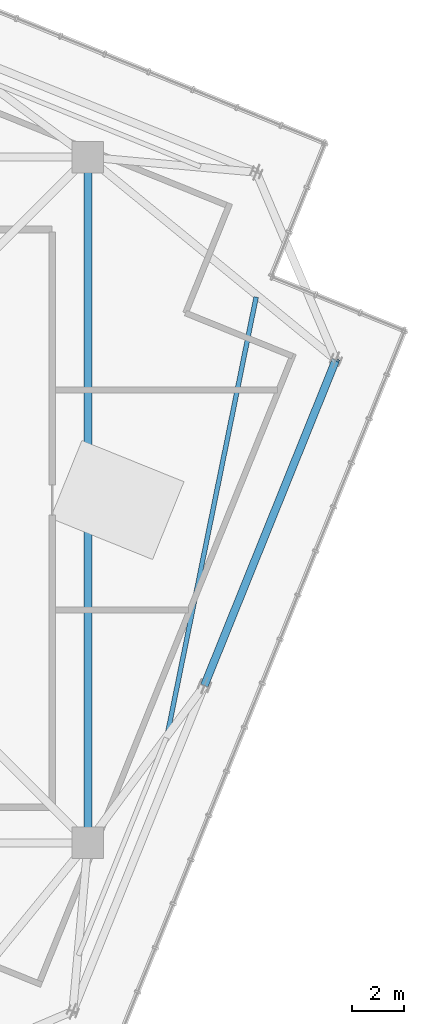
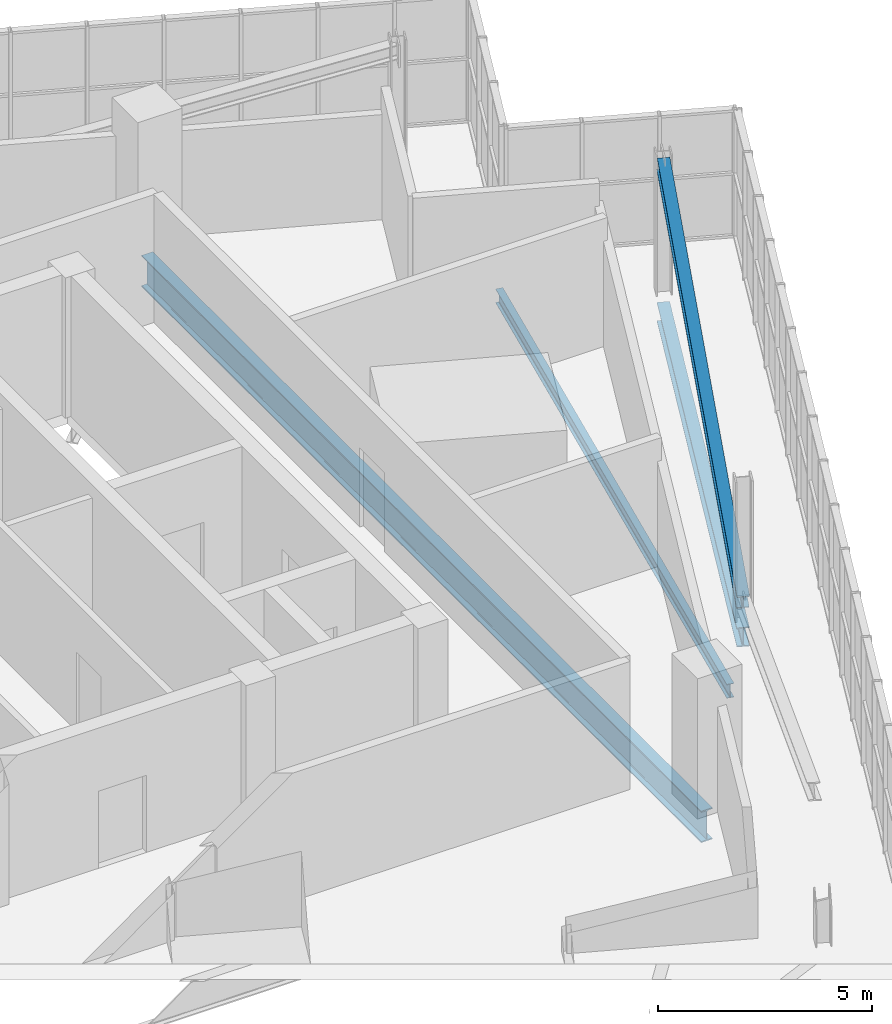
# One storey, part 10 of 26: 3 beams, 1 member.
"""IFC4 building model written with IfcOpenShell, lengths in metres."""

from ifc_helpers import new_model, si_unit, direction, frame, origin, origin_2d, place, context, subcontext, project, spatial, i_section, extrude, source, transform, mapped, material, material_profile, profile_set, type_object, element, save


model = new_model("IFC4")

# Units and contexts
model_context = context("Model", 3, precision=1e-05, world=origin(), true_north=direction((0.0, 1.0)))
body_context = subcontext(model_context, "Body", "Model", "MODEL_VIEW")
ifc_project = project(units=[si_unit("LENGTHUNIT", "METRE"), si_unit("AREAUNIT", "SQUARE_METRE"), si_unit("VOLUMEUNIT", "CUBIC_METRE"), si_unit("PLANEANGLEUNIT", "RADIAN"), si_unit("MASSUNIT", "GRAM", prefix="KILO"), si_unit("THERMODYNAMICTEMPERATUREUNIT", "KELVIN")], contexts=[model_context])

# Site, building, storey
site_placement = place(None, origin())
site = spatial("IfcSite", under=ifc_project, at=site_placement, CompositionType="ELEMENT")
building_placement = place(site_placement, origin())
building = spatial("IfcBuilding", under=site, at=building_placement, Name="Kosmvard Interchange Tower", CompositionType="ELEMENT")
storey_placement = place(building_placement, frame((0.0, 0.0, 341.60009765625)))
storey = spatial("IfcBuildingStorey", under=building, at=storey_placement, Name="L84", CompositionType="ELEMENT", Elevation=341.60009765625)

# Beam
ifc_material = material(Name="Steel S355", Category="steel")
ifc_material_profile_1 = material_profile(ifc_material, i_section(OverallWidth=0.300048828125, OverallDepth=0.89990234375, WebThickness=0.0185546875, FlangeThickness=0.034912109375, FilletRadius=0.030029296875, at=origin_2d()), Name="HEB 900")
ifc_profile_set_1 = profile_set([ifc_material_profile_1], Name="Steel S355")
beam_type_1 = type_object("IfcBeamType", Name="Mega-Column Ring Girder HEB 900 S355", PredefinedType="BEAM", material=ifc_profile_set_1)
shared_shape_1 = source(origin(), body_context, "Body", "SweptSolid", [
    extrude(i_section(OverallWidth=0.300048828125, OverallDepth=0.89990234375, WebThickness=0.0185546875, FlangeThickness=0.034912109375, FilletRadius=0.030029296875, at=origin_2d()), origin(), (0.0, 0.0, 1.0), 26.162109375),
])
beam_1_placement = place(storey_placement, frame((13.0810546875, -13.0810546875, -0.75), z_axis=(0.0, 1.0, 0.0), x_axis=(-1.0, 0.0, 0.0)))
element("IfcBeam", 1, at=beam_1_placement, inside=storey, type_object=beam_type_1, Name="L84 Mega-Column Ring Girder 2", PredefinedType="BEAM", context=body_context, shape_type="MappedRepresentation", body=[
    mapped(shared_shape_1, transform((0.0, 0.0, 0.0), scale=1.0)),
])

# Member
ifc_material_profile_2 = material_profile(ifc_material, i_section(OverallWidth=0.300048828125, OverallDepth=0.39990234375, WebThickness=0.013427734375, FlangeThickness=0.02392578125, FilletRadius=0.027099609375, at=origin_2d()), Name="HEB 400")
ifc_profile_set_2 = profile_set([ifc_material_profile_2], Name="Steel S355")
member_type = type_object("IfcMemberType", Name="Lantern Crown Diagrid Brace HEB 400 S355", PredefinedType="BRACE", material=ifc_profile_set_2)
shared_shape_2 = source(origin(), body_context, "Body", "SweptSolid", [
    extrude(i_section(OverallWidth=0.300048828125, OverallDepth=0.39990234375, WebThickness=0.013427734375, FlangeThickness=0.02392578125, FilletRadius=0.027099609375, at=origin_2d()), origin(), (0.0, 0.0, 1.0), 13.783935546875),
])
member_placement = place(storey_placement, frame((17.523681640625, -7.080078125, 0.419921875), z_axis=(0.364177999122, 0.901367558742, 0.234330768366), x_axis=(-0.927183187789, 0.374608243744, 0.0)))
element("IfcMember", 2, at=member_placement, inside=storey, type_object=member_type, Name="L84 Crown Lantern Diagrid Brace S2", PredefinedType="BRACE", context=body_context, shape_type="MappedRepresentation", body=[
    mapped(shared_shape_2, transform((0.0, 0.0, 0.0), scale=1.0)),
])

# Beams
ifc_material_profile_3 = material_profile(ifc_material, i_section(OverallWidth=0.300048828125, OverallDepth=0.550048828125, WebThickness=0.014892578125, FlangeThickness=0.029052734375, FilletRadius=0.027099609375, at=origin_2d()), Name="HEB 550")
ifc_profile_set_3 = profile_set([ifc_material_profile_3], Name="Steel S355")
beam_type_2 = type_object("IfcBeamType", Name="Crown Ring Cap Girder HEB 550 S355", PredefinedType="BEAM", material=ifc_profile_set_3)
shared_shape_3 = source(origin(), body_context, "Body", "SweptSolid", [
    extrude(i_section(OverallWidth=0.300048828125, OverallDepth=0.550048828125, WebThickness=0.014892578125, FlangeThickness=0.029052734375, FilletRadius=0.027099609375, at=origin_2d()), origin(), (0.0, 0.0, 1.0), 13.400146484375),
])
beam_2_placement = place(storey_placement, frame((17.523681640625, -7.080078125, -0.5751953125), z_axis=(0.374608243744, 0.927183187789, 0.0), x_axis=(-0.927183187789, 0.374608243744, 0.0)))
element("IfcBeam", 3, at=beam_2_placement, inside=storey, type_object=beam_type_2, Name="BM-L84-PR02", PredefinedType="BEAM", context=body_context, shape_type="MappedRepresentation", body=[
    mapped(shared_shape_3, transform((0.0, 0.0, 0.0), scale=1.0)),
])
ifc_material_profile_4 = material_profile(ifc_material, i_section(OverallWidth=0.179931640625, OverallDepth=0.39990234375, WebThickness=0.008544921875, FlangeThickness=0.013427734375, FilletRadius=0.02099609375, at=origin_2d()), Name="IPE 400")
ifc_profile_set_4 = profile_set([ifc_material_profile_4], Name="Steel S355")
beam_type_3 = type_object("IfcBeamType", Name="Upper-Zone Floor Joist IPE 400 S355", PredefinedType="JOIST", material=ifc_profile_set_4)
shared_shape_4 = source(origin(), body_context, "Body", "SweptSolid", [
    extrude(i_section(OverallWidth=0.179931640625, OverallDepth=0.39990234375, WebThickness=0.008544921875, FlangeThickness=0.013427734375, FilletRadius=0.02099609375, at=origin_2d()), origin(), (0.0, 0.0, 1.0), 17.0029296875),
])
beam_3_placement = place(storey_placement, frame((16.117919921875, -8.921875, -0.5), z_axis=(0.198882162837, 0.98002341059, 0.0), x_axis=(-0.98002341059, 0.198882162837, 0.0)))
element("IfcBeam", 4, at=beam_3_placement, inside=storey, type_object=beam_type_3, Name="BM-L84-FJ02", PredefinedType="JOIST", context=body_context, shape_type="MappedRepresentation", body=[
    mapped(shared_shape_4, transform((0.0, 0.0, 0.0), scale=1.0)),
])

save(model, "model.ifc")
